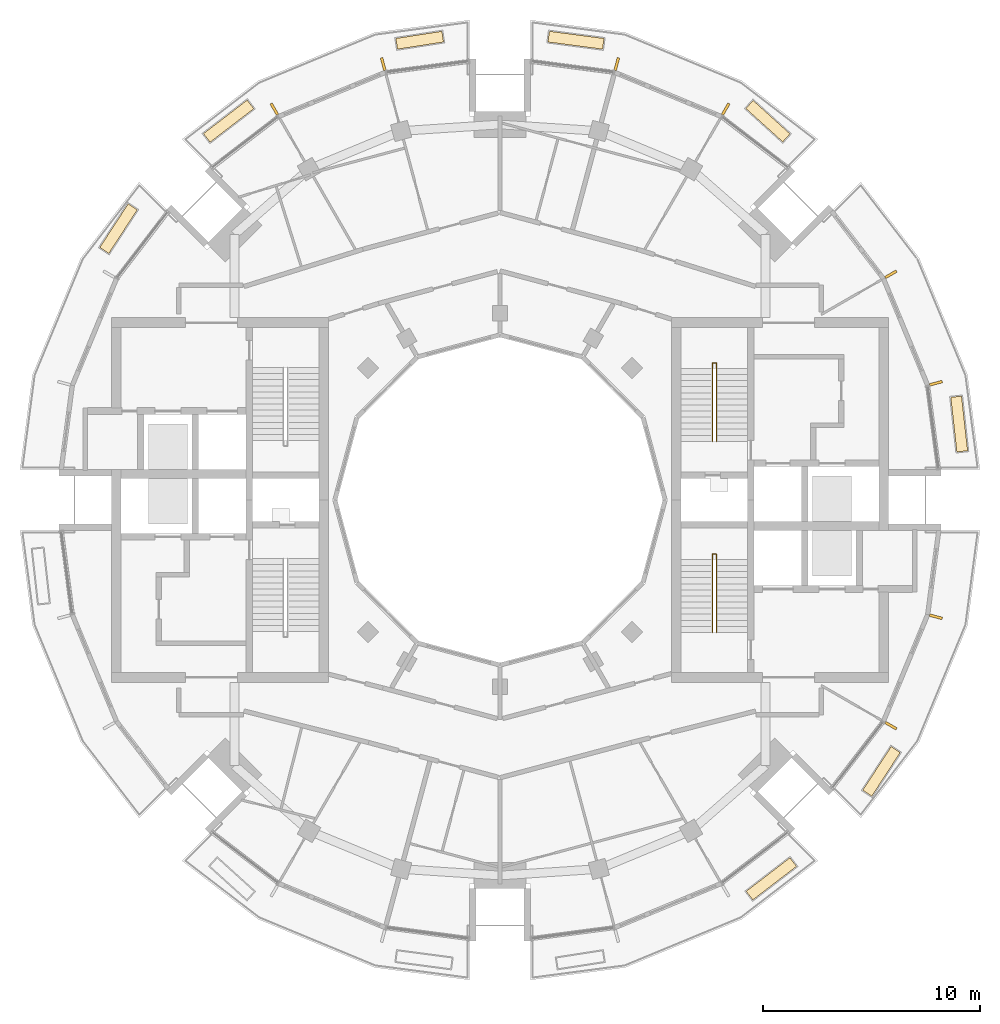
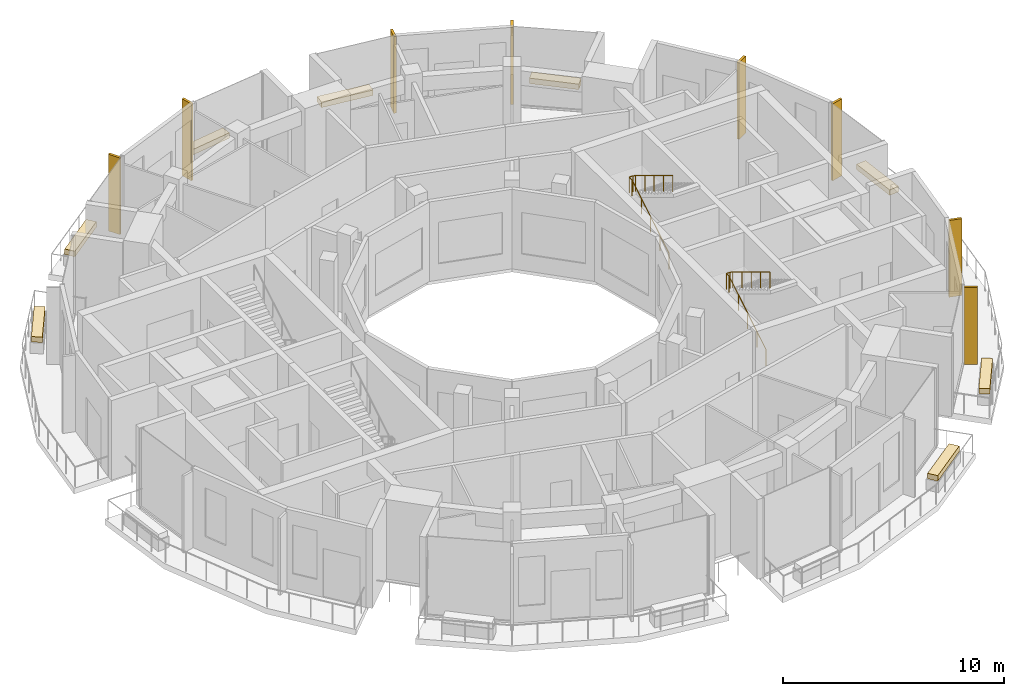
# One storey, part 14 of 15: 8 coverings, 8 shading devices, 2 railings.
"""IFC4 building model written with IfcOpenShell, lengths in metres."""

from ifc_helpers import new_model, si_unit, direction, frame, origin, origin_2d, place, context, subcontext, project, spatial, polyline, rectangle, circle, outline, extrude, material, layer, layer_set, material_profile, profile_set, type_object, element, save


model = new_model("IFC4")

# Units and contexts
model_context = context("Model", 3, precision=1e-05, world=origin(), true_north=direction((0.0, 1.0)))
body_context = subcontext(model_context, "Body", "Model", "MODEL_VIEW")
ifc_project = project(units=[si_unit("LENGTHUNIT", "METRE"), si_unit("AREAUNIT", "SQUARE_METRE"), si_unit("VOLUMEUNIT", "CUBIC_METRE"), si_unit("PLANEANGLEUNIT", "RADIAN"), si_unit("MASSUNIT", "GRAM", prefix="KILO")], contexts=[model_context])

# Site, building, storey
site_placement = place(None, origin())
site = spatial("IfcSite", under=ifc_project, at=site_placement, CompositionType="ELEMENT")
building_placement = place(site_placement, origin())
building = spatial("IfcBuilding", under=site, at=building_placement, Name="Torre Brocal", CompositionType="ELEMENT")
storey_placement = place(building_placement, frame((0.0, 0.0, 314.89990234375)))
storey = spatial("IfcBuildingStorey", under=building, at=storey_placement, Name="L72", CompositionType="ELEMENT", Elevation=314.89990234375)

# Shading devices
ifc_material_1 = material(Name="Aluminium, black anodised", Category="aluminium")
ifc_material_profile = material_profile(ifc_material_1, rectangle(XDim=0.1201171875, YDim=0.60009765625, at=origin_2d()), Name="FIN 120X600 4250 HIGH FROM FLOOR")
ifc_profile_set = profile_set([ifc_material_profile], Name="Aluminium, black anodised")
shading_device_type = type_object("IfcShadingDeviceType", Name="FIN 120X600 4250 HIGH FROM FLOOR", PredefinedType="USERDEFINED", material=ifc_profile_set)
for number, where, z_axis, x_axis, name in (
    (1, (100.08349609375, 80.38134765625, 0.0), (0.0, 0.0, 1.0), (-0.258819045103, 0.965925826289, 0.0), "FIN"),
    (2, (98.00634765625, 85.39599609375, 0.0), (0.0, 0.0, 1.0), (-0.5, 0.866025403784, 0.0), "FIN"),
    (3, (90.39599609375, 93.00634765625, 0.0), (0.0, 0.0, 1.0), (-0.866025403784, 0.5, 0.0), "FIN"),
    (4, (85.38134765625, 95.08349609375, 0.0), (0.0, 0.0, 1.0), (-0.965925826289, 0.258819045103, 0.0), "FIN"),
    (5, (74.61865234375, 95.08349609375, 0.0), (0.0, 0.0, 1.0), (-0.965925826289, -0.258819045103, 0.0), "FIN"),
    (6, (69.60400390625, 93.00634765625, 0.0), (0.0, 0.0, 1.0), (-0.866025403784, -0.5, 0.0), "FIN"),
    (7, (98.00634765625, 64.60400390625, 0.0), (0.0, 0.0, 1.0), (0.5, 0.866025403784, 0.0), "FIN"),
    (8, (100.08349609375, 69.61865234375, 0.0), (0.0, 0.0, 1.0), (0.258819045103, 0.965925826289, 0.0), "FIN"),
):
    element("IfcShadingDevice", number, at=place(storey_placement, frame(where, z_axis=z_axis, x_axis=x_axis)), inside=storey, type_object=shading_device_type, Name=name, ObjectType="FIN", PredefinedType="USERDEFINED", context=body_context, shape_type="SweptSolid", body=[
        extrude(rectangle(XDim=0.1201171875, YDim=0.60009765625, at=origin_2d()), origin(), (0.0, 0.0, 1.0), 4.25),
    ])

# Coverings
ifc_material_2 = material(Name="Planting soil")
ifc_layer = layer(ifc_material_2, 0.300048828125)
ifc_layer_set = layer_set([ifc_layer], Name="Planting soil")
covering_type = type_object("IfcCoveringType", Name="PLANTING SOIL 300", PredefinedType="FLOORING", material=ifc_layer_set)
covering_1_placement = place(storey_placement, frame((0.0, 0.0, 0.60009765625)))
element("IfcCovering", 9, at=covering_1_placement, inside=storey, type_object=covering_type, Name="PLANTING SOIL", PredefinedType="FLOORING", context=body_context, shape_type="SweptSolid", body=[
    extrude(outline(polyline([(101.047607421875, 77.215087890625), (100.766845703125, 79.73095703125), (101.263671875, 79.786376953125), (101.544677734375, 77.2705078125), (101.047607421875, 77.215087890625)])), origin(), (0.0, 0.0, 1.0), 0.300048828125),
])
covering_2_placement = place(storey_placement, frame((0.0, 0.0, 0.60009765625)))
element("IfcCovering", 10, at=covering_2_placement, inside=storey, type_object=covering_type, Name="PLANTING SOIL", PredefinedType="FLOORING", context=body_context, shape_type="SweptSolid", body=[
    extrude(outline(polyline([(93.026611328125, 91.49853515625), (91.325439453125, 93.037109375), (91.660888671875, 93.407958984375), (93.362060546875, 91.869140625), (93.026611328125, 91.49853515625)])), origin(), (0.0, 0.0, 1.0), 0.300048828125),
])
covering_3_placement = place(storey_placement, frame((0.0, 0.0, 0.60009765625)))
element("IfcCovering", 11, at=covering_3_placement, inside=storey, type_object=covering_type, Name="PLANTING SOIL", PredefinedType="FLOORING", context=body_context, shape_type="SweptSolid", body=[
    extrude(outline(polyline([(84.72607421875, 95.768310546875), (82.210205078125, 96.099609375), (82.275390625, 96.59521484375), (84.79150390625, 96.263916015625), (84.72607421875, 95.768310546875)])), origin(), (0.0, 0.0, 1.0), 0.300048828125),
])
covering_4_placement = place(storey_placement, frame((0.0, 0.0, 0.60009765625)))
element("IfcCovering", 12, at=covering_4_placement, inside=storey, type_object=covering_type, Name="PLANTING SOIL", PredefinedType="FLOORING", context=body_context, shape_type="SweptSolid", body=[
    extrude(outline(polyline([(77.399169921875, 96.09912109375), (75.279296875, 95.770263671875), (75.20263671875, 96.264404296875), (77.322509765625, 96.59326171875), (77.399169921875, 96.09912109375)])), origin(), (0.0, 0.0, 1.0), 0.300048828125),
])
covering_5_placement = place(storey_placement, frame((0.0, 0.0, 0.60009765625)))
element("IfcCovering", 13, at=covering_5_placement, inside=storey, type_object=covering_type, Name="PLANTING SOIL", PredefinedType="FLOORING", context=body_context, shape_type="SweptSolid", body=[
    extrude(outline(polyline([(68.656494140625, 93.02734375), (66.64306640625, 91.482421875), (66.3388671875, 91.879150390625), (68.35205078125, 93.424072265625), (68.656494140625, 93.02734375)])), origin(), (0.0, 0.0, 1.0), 0.300048828125),
])
covering_6_placement = place(storey_placement, frame((0.0, 0.0, 0.60009765625)))
element("IfcCovering", 14, at=covering_6_placement, inside=storey, type_object=covering_type, Name="PLANTING SOIL", PredefinedType="FLOORING", context=body_context, shape_type="SweptSolid", body=[
    extrude(outline(polyline([(63.288330078125, 88.370361328125), (61.980712890625, 86.361572265625), (61.561767578125, 86.63427734375), (62.869384765625, 88.643310546875), (63.288330078125, 88.370361328125)])), origin(), (0.0, 0.0, 1.0), 0.300048828125),
])
covering_7_placement = place(storey_placement, frame((0.0, 0.0, 0.60009765625)))
element("IfcCovering", 15, at=covering_7_placement, inside=storey, type_object=covering_type, Name="PLANTING SOIL", PredefinedType="FLOORING", context=body_context, shape_type="SweptSolid", body=[
    extrude(outline(polyline([(91.343505859375, 56.97265625), (93.35693359375, 58.517578125), (93.6611328125, 58.120849609375), (91.64794921875, 56.575927734375), (91.343505859375, 56.97265625)])), origin(), (0.0, 0.0, 1.0), 0.300048828125),
])
covering_8_placement = place(storey_placement, frame((0.0, 0.0, 0.60009765625)))
element("IfcCovering", 16, at=covering_8_placement, inside=storey, type_object=covering_type, Name="PLANTING SOIL", PredefinedType="FLOORING", context=body_context, shape_type="SweptSolid", body=[
    extrude(outline(polyline([(96.711669921875, 61.629638671875), (98.019287109375, 63.638427734375), (98.438232421875, 63.36572265625), (97.130615234375, 61.356689453125), (96.711669921875, 61.629638671875)])), origin(), (0.0, 0.0, 1.0), 0.300048828125),
])

# Railings
ifc_material_3 = material(Name="Stainless steel AISI 316", Category="steel")
railing_type = type_object("IfcRailingType", Name="STAIR HANDRAIL", PredefinedType="HANDRAIL", material=ifc_material_3)
railing_1_placement = place(storey_placement, frame((89.780029296875, 77.699951171875, 0.16943359375)))
element("IfcRailing", 17, at=railing_1_placement, inside=storey, type_object=railing_type, Name="HANDRAIL ST1", PredefinedType="HANDRAIL", context=body_context, shape_type="SweptSolid", body=[
    extrude(circle(Radius=0.02392578125, at=origin_2d()), frame((0.0, 0.0, 0.8759765625), z_axis=(0.0, 0.855836976705, 0.517245656632), x_axis=(-1.0, 0.0, 0.0)), (0.0, 0.0, 1.0), 3.926025390625),
    extrude(circle(Radius=0.02392578125, at=origin_2d()), frame((0.0, 3.360107421875, 2.90673828125), z_axis=(0.0, 1.0, 0.0), x_axis=(-1.0, 0.0, 0.0)), (0.0, 0.0, 1.0), 0.25),
    extrude(circle(Radius=0.02392578125, at=origin_2d()), frame((0.0, 3.610107421875, 2.90673828125), z_axis=(1.0, 0.0, 0.0), x_axis=(0.0, 1.0, 0.0)), (0.0, 0.0, 1.0), 0.18994140625),
    extrude(circle(Radius=0.02392578125, at=origin_2d()), frame((0.18994140625, 3.610107421875, 2.90673828125), z_axis=(0.0, -0.828173002143, 0.560472549302), x_axis=(1.0, 0.0, 0.0)), (0.0, 0.0, 1.0), 0.3017578125),
    extrude(circle(Radius=0.02392578125, at=origin_2d()), frame((0.18994140625, 3.360107421875, 3.07568359375), z_axis=(0.0, -0.855836976705, 0.517245656632), x_axis=(1.0, 0.0, 0.0)), (0.0, 0.0, 1.0), 3.926025390625),
    extrude(circle(Radius=0.02099609375, at=origin_2d()), origin(), (0.0, 0.0, 1.0), 0.851806640625),
    extrude(circle(Radius=0.02099609375, at=origin_2d()), frame((0.0, 0.840087890625, 0.5078125)), (0.0, 0.0, 1.0), 0.851806640625),
    extrude(circle(Radius=0.02099609375, at=origin_2d()), frame((0.0, 1.68017578125, 1.015380859375)), (0.0, 0.0, 1.0), 0.851806640625),
    extrude(circle(Radius=0.02099609375, at=origin_2d()), frame((0.0, 2.52001953125, 1.52294921875)), (0.0, 0.0, 1.0), 0.851806640625),
    extrude(circle(Radius=0.02099609375, at=origin_2d()), frame((0.0, 3.360107421875, 2.03076171875)), (0.0, 0.0, 1.0), 0.851806640625),
    extrude(circle(Radius=0.02099609375, at=origin_2d()), frame((0.0, 3.610107421875, 2.03076171875)), (0.0, 0.0, 1.0), 0.851806640625),
    extrude(circle(Radius=0.02099609375, at=origin_2d()), frame((0.18994140625, 3.610107421875, 2.03076171875)), (0.0, 0.0, 1.0), 0.851806640625),
    extrude(circle(Radius=0.02099609375, at=origin_2d()), frame((0.18994140625, 3.360107421875, 2.199951171875)), (0.0, 0.0, 1.0), 0.851806640625),
    extrude(circle(Radius=0.02099609375, at=origin_2d()), frame((0.18994140625, 2.52001953125, 2.70751953125)), (0.0, 0.0, 1.0), 0.851806640625),
    extrude(circle(Radius=0.02099609375, at=origin_2d()), frame((0.18994140625, 1.68017578125, 3.21533203125)), (0.0, 0.0, 1.0), 0.851806640625),
    extrude(circle(Radius=0.02099609375, at=origin_2d()), frame((0.18994140625, 0.840087890625, 3.72314453125)), (0.0, 0.0, 1.0), 0.851806640625),
    extrude(circle(Radius=0.02099609375, at=origin_2d()), frame((0.18994140625, 0.0, 4.230712890625)), (0.0, 0.0, 1.0), 0.851806640625),
])
railing_2_placement = place(storey_placement, frame((89.780029296875, 68.89990234375, 0.16943359375)))
element("IfcRailing", 18, at=railing_2_placement, inside=storey, type_object=railing_type, Name="HANDRAIL ST2", PredefinedType="HANDRAIL", context=body_context, shape_type="SweptSolid", body=[
    extrude(circle(Radius=0.02392578125, at=origin_2d()), frame((0.0, 0.0, 0.8759765625), z_axis=(0.0, 0.855836976705, 0.517245656632), x_axis=(-1.0, 0.0, 0.0)), (0.0, 0.0, 1.0), 3.926025390625),
    extrude(circle(Radius=0.02392578125, at=origin_2d()), frame((0.0, 3.360107421875, 2.90673828125), z_axis=(0.0, 1.0, 0.0), x_axis=(-1.0, 0.0, 0.0)), (0.0, 0.0, 1.0), 0.25),
    extrude(circle(Radius=0.02392578125, at=origin_2d()), frame((0.0, 3.610107421875, 2.90673828125), z_axis=(1.0, 0.0, 0.0), x_axis=(0.0, 1.0, 0.0)), (0.0, 0.0, 1.0), 0.18994140625),
    extrude(circle(Radius=0.02392578125, at=origin_2d()), frame((0.18994140625, 3.610107421875, 2.90673828125), z_axis=(0.0, -0.828173002143, 0.560472549302), x_axis=(1.0, 0.0, 0.0)), (0.0, 0.0, 1.0), 0.3017578125),
    extrude(circle(Radius=0.02392578125, at=origin_2d()), frame((0.18994140625, 3.360107421875, 3.07568359375), z_axis=(0.0, -0.855836976705, 0.517245656632), x_axis=(1.0, 0.0, 0.0)), (0.0, 0.0, 1.0), 3.926025390625),
    extrude(circle(Radius=0.02099609375, at=origin_2d()), origin(), (0.0, 0.0, 1.0), 0.851806640625),
    extrude(circle(Radius=0.02099609375, at=origin_2d()), frame((0.0, 0.840087890625, 0.5078125)), (0.0, 0.0, 1.0), 0.851806640625),
    extrude(circle(Radius=0.02099609375, at=origin_2d()), frame((0.0, 1.68017578125, 1.015380859375)), (0.0, 0.0, 1.0), 0.851806640625),
    extrude(circle(Radius=0.02099609375, at=origin_2d()), frame((0.0, 2.52001953125, 1.52294921875)), (0.0, 0.0, 1.0), 0.851806640625),
    extrude(circle(Radius=0.02099609375, at=origin_2d()), frame((0.0, 3.360107421875, 2.03076171875)), (0.0, 0.0, 1.0), 0.851806640625),
    extrude(circle(Radius=0.02099609375, at=origin_2d()), frame((0.0, 3.610107421875, 2.03076171875)), (0.0, 0.0, 1.0), 0.851806640625),
    extrude(circle(Radius=0.02099609375, at=origin_2d()), frame((0.18994140625, 3.610107421875, 2.03076171875)), (0.0, 0.0, 1.0), 0.851806640625),
    extrude(circle(Radius=0.02099609375, at=origin_2d()), frame((0.18994140625, 3.360107421875, 2.199951171875)), (0.0, 0.0, 1.0), 0.851806640625),
    extrude(circle(Radius=0.02099609375, at=origin_2d()), frame((0.18994140625, 2.52001953125, 2.70751953125)), (0.0, 0.0, 1.0), 0.851806640625),
    extrude(circle(Radius=0.02099609375, at=origin_2d()), frame((0.18994140625, 1.68017578125, 3.21533203125)), (0.0, 0.0, 1.0), 0.851806640625),
    extrude(circle(Radius=0.02099609375, at=origin_2d()), frame((0.18994140625, 0.840087890625, 3.72314453125)), (0.0, 0.0, 1.0), 0.851806640625),
    extrude(circle(Radius=0.02099609375, at=origin_2d()), frame((0.18994140625, 0.0, 4.230712890625)), (0.0, 0.0, 1.0), 0.851806640625),
])

save(model, "model.ifc")
